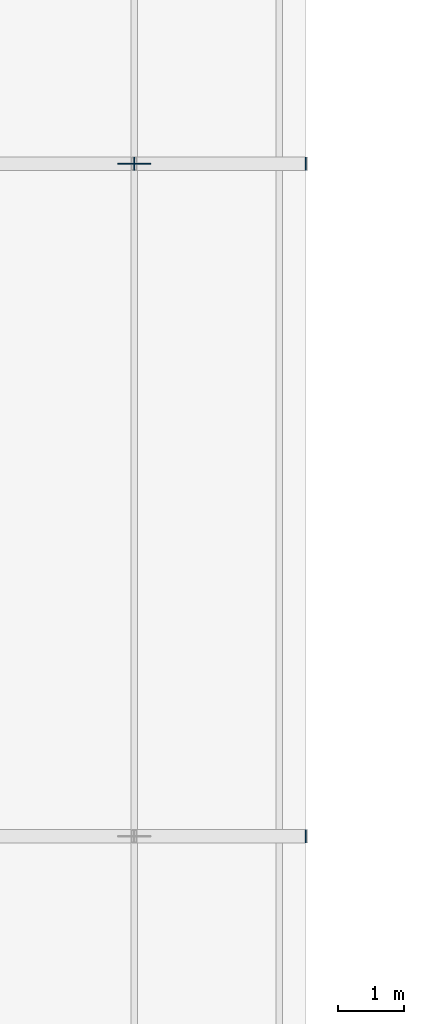
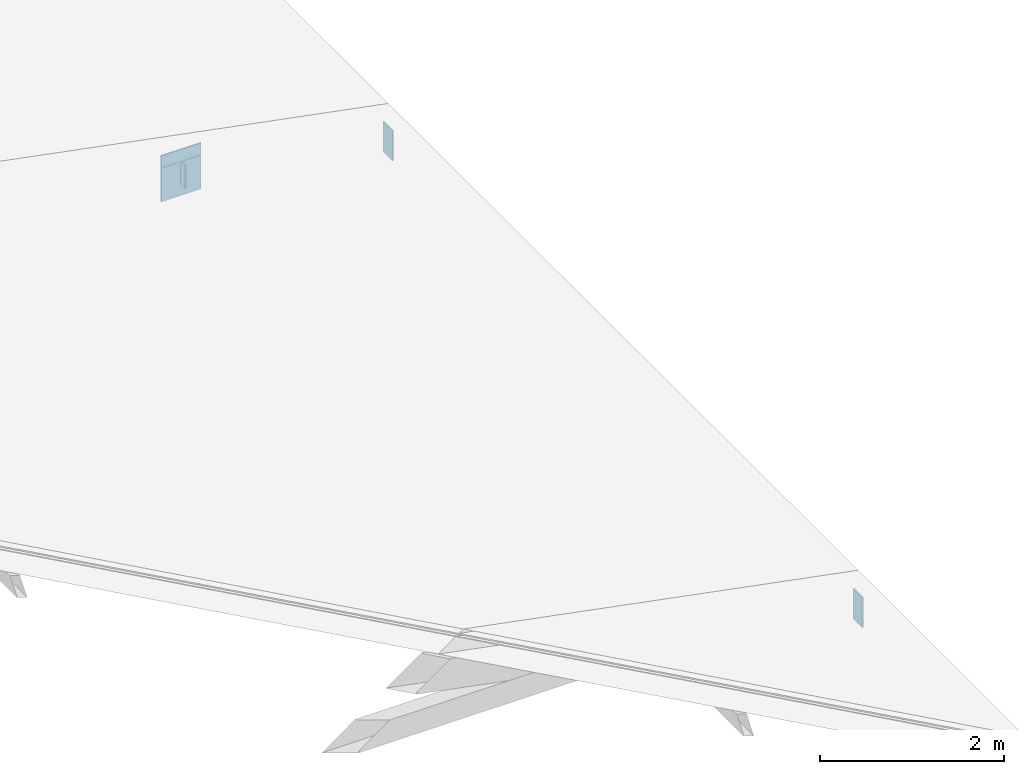
# One storey, part 159 of 200: 5 plates.
"""IFC4 building model written with IfcOpenShell, lengths in metres."""

from ifc_helpers import new_model, si_unit, direction, frame, origin, origin_2d, place, context, subcontext, project, spatial, rectangle, extrude, material, layer, layer_set, type_object, element, save


model = new_model("IFC4")

# Units and contexts
model_context = context("Model", 3, precision=1e-05, world=origin(), true_north=direction((0.0, 1.0)))
body_context = subcontext(model_context, "Body", "Model", "MODEL_VIEW")
ifc_project = project(units=[si_unit("LENGTHUNIT", "METRE"), si_unit("AREAUNIT", "SQUARE_METRE"), si_unit("VOLUMEUNIT", "CUBIC_METRE"), si_unit("PLANEANGLEUNIT", "RADIAN"), si_unit("MASSUNIT", "GRAM", prefix="KILO")], contexts=[model_context])

# Site, building, storey
site_placement = place(None, origin())
site = spatial("IfcSite", under=ifc_project, at=site_placement, CompositionType="ELEMENT")
building_placement = place(site_placement, origin())
building = spatial("IfcBuilding", under=site, at=building_placement, Name="Vondelvale Polytechnic", CompositionType="ELEMENT")
storey_placement = place(building_placement, frame((0.0, 0.0, 13.800048828125)))
storey = spatial("IfcBuildingStorey", under=building, at=storey_placement, Name="L03", CompositionType="ELEMENT", Elevation=13.800048828125)

# Plates
ifc_material = material(Name="Steel Grade 350 (fy = 340 MPa)", Category="steel")
ifc_layer_1 = layer(ifc_material, 0.01611328125)
ifc_layer_set_1 = layer_set([ifc_layer_1], Name="PLATE-CAP-300x200")
plate_type_1 = type_object("IfcPlateType", Name="PLATE-CAP-300x200", PredefinedType="USERDEFINED", material=ifc_layer_set_1)
plate_placement = place(storey_placement, frame((48.0, 91.800048828125, -0.5703125), z_axis=(0.0, 0.0, 1.0), x_axis=(1.0, 0.0, 0.0)))
element("IfcPlate", 1, at=plate_placement, inside=storey, type_object=plate_type_1, Name="ROOF TRUSS bottom chord cap plate E", ObjectType="CAP_PLATE", PredefinedType="USERDEFINED", context=body_context, shape_type="SweptSolid", body=[
    extrude(rectangle(XDim=0.01611328125, YDim=0.199951171875, at=origin_2d()), origin(), (0.0, 0.0, 1.0), 0.300048828125),
])
ifc_layer_2 = layer(ifc_material, 0.01611328125)
ifc_layer_set_2 = layer_set([ifc_layer_2], Name="PLATE-CAP-400x200")
plate_type_2 = type_object("IfcPlateType", Name="PLATE-CAP-400x200", PredefinedType="USERDEFINED", material=ifc_layer_set_2)
for number, where, z_axis, x_axis, name in (
    (2, (50.60009765625, 81.60009765625, -1.12109375), (0.0, 0.0, 1.0), (1.0, 0.0, 0.0), "ROOF TRUSS hollow end cap plate E"),
    (3, (50.60009765625, 91.800048828125, -1.12109375), (0.0, 0.0, 1.0), (1.0, 0.0, 0.0), "ROOF TRUSS hollow end cap plate E"),
):
    element("IfcPlate", number, at=place(storey_placement, frame(where, z_axis=z_axis, x_axis=x_axis)), inside=storey, type_object=plate_type_2, Name=name, ObjectType="CAP_PLATE", PredefinedType="USERDEFINED", context=body_context, shape_type="SweptSolid", body=[
        extrude(rectangle(XDim=0.01611328125, YDim=0.199951171875, at=origin_2d()), origin(), (0.0, 0.0, 1.0), 0.39990234375),
    ])
ifc_layer_3 = layer(ifc_material, 0.01611328125)
ifc_layer_set_3 = layer_set([ifc_layer_3], Name="PLATE-GUSSET-16")
plate_type_3 = type_object("IfcPlateType", Name="PLATE-GUSSET-16", PredefinedType="USERDEFINED", material=ifc_layer_set_3)
for number, where, z_axis, x_axis, name in (
    (4, (48.0, 91.800048828125, -0.72509765625), (0.0, 0.0, 1.0), (1.0, 0.0, 0.0), "ROOF TRUSS top chord gusset node plate 9"),
    (5, (48.0, 91.800048828125, -0.56494140625), (0.0, 0.0, 1.0), (1.0, 0.0, 0.0), "ROOF TRUSS bottom chord gusset node plate 9"),
):
    element("IfcPlate", number, at=place(storey_placement, frame(where, z_axis=z_axis, x_axis=x_axis)), inside=storey, type_object=plate_type_3, Name=name, ObjectType="GUSSET_PLATE", PredefinedType="USERDEFINED", context=body_context, shape_type="SweptSolid", body=[
        extrude(rectangle(XDim=0.5, YDim=0.01611328125, at=origin_2d()), origin(), (0.0, 0.0, 1.0), 0.449951171875),
    ])

save(model, "model.ifc")
